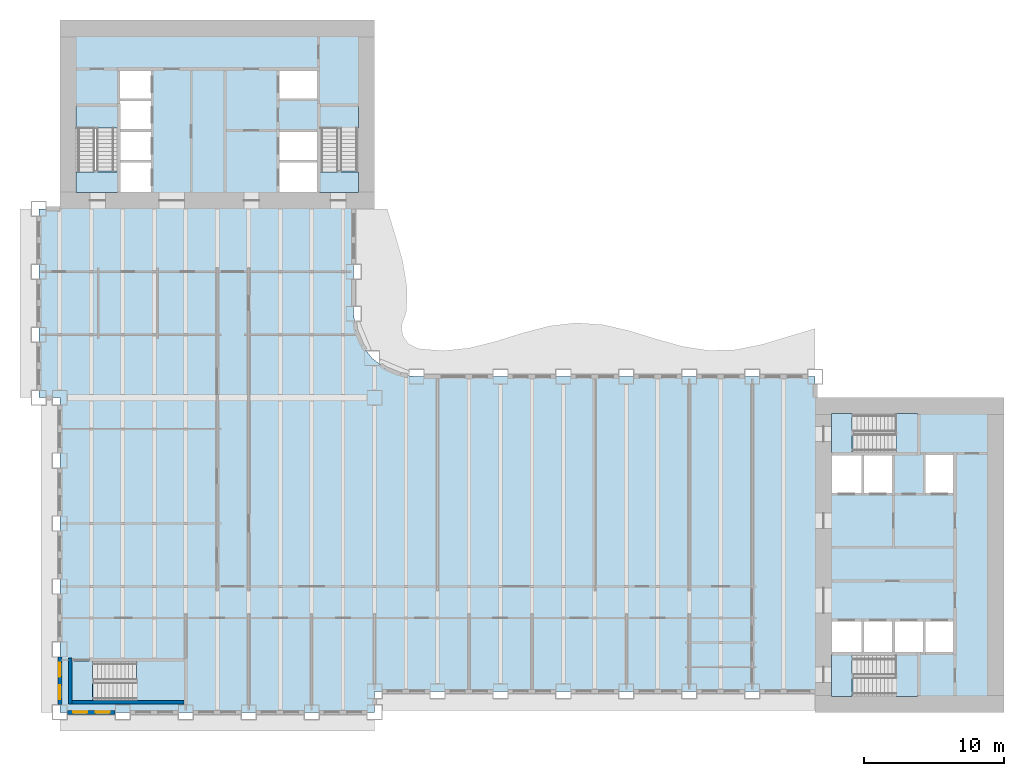
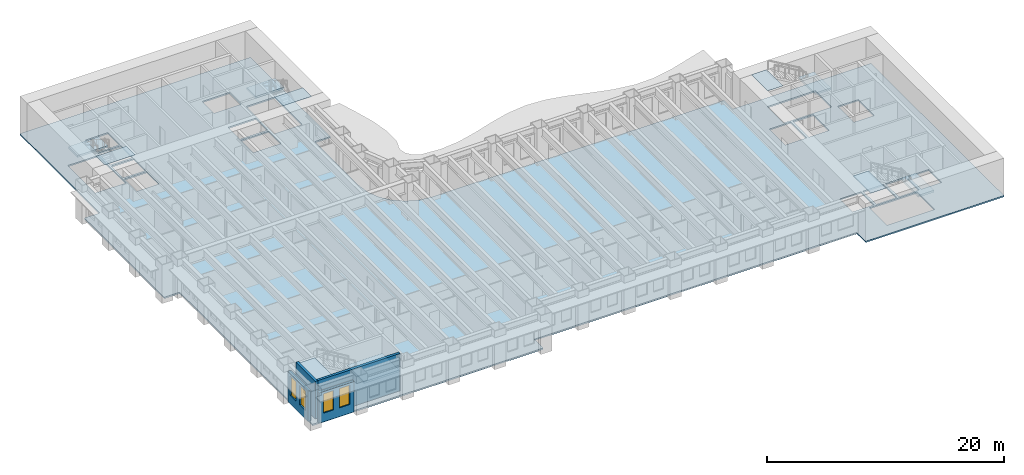
# One storey, part 2 of 16: 11 slabs, 4 walls, 4 windows, 4 openings, 5 elements without a shape of their own.
"""IFC4 building model written with IfcOpenShell, lengths in metres."""

from ifc_helpers import new_model, si_unit, direction, frame, frame_2d, origin, place, context, subcontext, project, spatial, polyline, rectangle, outline, extrude, material, layer, layer_set, type_object, element, fill, aggregate, save


model = new_model("IFC4")

# Units and contexts
model_context = context("Model", 3, precision=1e-05, world=origin(), true_north=direction((0.0, 1.0)))
body_context = subcontext(model_context, "Body", "Model", "MODEL_VIEW")
ifc_project = project(units=[si_unit("LENGTHUNIT", "METRE"), si_unit("AREAUNIT", "SQUARE_METRE"), si_unit("VOLUMEUNIT", "CUBIC_METRE"), si_unit("PLANEANGLEUNIT", "RADIAN"), si_unit("MASSUNIT", "GRAM", prefix="KILO")], contexts=[model_context])

# Site, building, storey
site_placement = place(None, origin())
site = spatial("IfcSite", under=ifc_project, at=site_placement, CompositionType="ELEMENT")
building_placement = place(site_placement, origin())
building = spatial("IfcBuilding", under=site, at=building_placement, Name="Sennacour Bend Tower", CompositionType="ELEMENT")
storey_placement = place(building_placement, frame((0.0, 0.0, 57.0)))
storey = spatial("IfcBuildingStorey", under=building, at=storey_placement, Name="L12", CompositionType="ELEMENT", Elevation=57.0)

# Slabs
ifc_material_1 = material(Name="Concrete C30/37", Category="concrete")
ifc_layer_1 = layer(ifc_material_1, 0.14990234375, Name="Concrete C30/37", Category="concrete")
ifc_layer_set_1 = layer_set([ifc_layer_1], Name="Concrete C30/37")
slab_type_1 = type_object("IfcSlabType", Name="Floor slab 150", PredefinedType="FLOOR", material=ifc_layer_set_1)
slab_1_placement = place(storey_placement, frame((0.0, 0.0, -0.14990234375)))
element("IfcSlab", 1, at=slab_1_placement, inside=storey, type_object=slab_type_1, Name="Floor slab L12-01", PredefinedType="FLOOR", context=body_context, shape_type="SweptSolid", body=[
    extrude(outline(polyline([(0.0, 22.5), (-1.5, 22.5), (-1.5, 36.0), (0.0, 36.0), (0.0, 49.5), (22.5, 49.5), (22.5, 36.0), (21.0, 36.0), (21.0, 28.5), (21.1533203125, 27.335205078125), (21.602783203125, 26.25), (22.318115234375, 25.318115234375), (23.25, 24.602783203125), (24.335205078125, 24.1533203125), (25.5, 24.0), (54.0, 24.0), (54.0, 22.5), (67.5, 22.5), (67.5, 0.0), (54.0, 0.0), (54.0, 1.5), (22.5, 1.5), (22.5, 0.0), (0.0, 0.0), (0.0, 22.5)]), holes=[polyline([(8.800048828125, 0.949951171875), (8.800048828125, 3.5), (2.429931640625, 3.5), (2.429931640625, 0.949951171875), (8.800048828125, 0.949951171875)]), polyline([(6.5, 37.199951171875), (6.5, 39.300048828125), (4.300048828125, 39.300048828125), (4.300048828125, 37.199951171875), (6.5, 37.199951171875)]), polyline([(18.39990234375, 37.199951171875), (18.39990234375, 39.300048828125), (15.699951171875, 39.300048828125), (15.699951171875, 37.199951171875), (18.39990234375, 37.199951171875)]), polyline([(6.5, 39.5), (6.5, 41.5), (4.300048828125, 41.5), (4.300048828125, 39.5), (6.5, 39.5)]), polyline([(18.39990234375, 39.5), (18.39990234375, 41.5), (15.699951171875, 41.5), (15.699951171875, 39.5), (18.39990234375, 39.5)]), polyline([(4.125, 38.72998046875), (4.125, 43.39990234375), (1.14990234375, 43.39990234375), (1.14990234375, 38.72998046875), (4.125, 38.72998046875)]), polyline([(21.35009765625, 38.72998046875), (21.35009765625, 43.39990234375), (18.574951171875, 43.39990234375), (18.574951171875, 38.72998046875), (21.35009765625, 38.72998046875)]), polyline([(4.300048828125, 41.699951171875), (6.5, 41.699951171875), (6.5, 43.699951171875), (4.300048828125, 43.699951171875), (4.300048828125, 41.699951171875)]), polyline([(4.300048828125, 43.89990234375), (6.5, 43.89990234375), (6.5, 45.89990234375), (4.300048828125, 45.89990234375), (4.300048828125, 43.89990234375)]), polyline([(18.39990234375, 43.89990234375), (18.39990234375, 45.89990234375), (15.699951171875, 45.89990234375), (15.699951171875, 43.89990234375), (18.39990234375, 43.89990234375)]), polyline([(61.39990234375, 1.14990234375), (61.39990234375, 4.125), (56.72998046875, 4.125), (56.72998046875, 1.14990234375), (61.39990234375, 1.14990234375)]), polyline([(57.300048828125, 4.300048828125), (57.300048828125, 6.5), (55.199951171875, 6.5), (55.199951171875, 4.300048828125), (57.300048828125, 4.300048828125)]), polyline([(57.5, 4.300048828125), (59.5, 4.300048828125), (59.5, 6.5), (57.5, 6.5), (57.5, 4.300048828125)]), polyline([(59.699951171875, 4.300048828125), (61.699951171875, 4.300048828125), (61.699951171875, 6.5), (59.699951171875, 6.5), (59.699951171875, 4.300048828125)]), polyline([(63.89990234375, 4.300048828125), (63.89990234375, 6.5), (61.89990234375, 6.5), (61.89990234375, 4.300048828125), (63.89990234375, 4.300048828125)]), polyline([(57.300048828125, 15.699951171875), (57.300048828125, 18.39990234375), (55.199951171875, 18.39990234375), (55.199951171875, 15.699951171875), (57.300048828125, 15.699951171875)]), polyline([(59.5, 15.699951171875), (59.5, 18.39990234375), (57.5, 18.39990234375), (57.5, 15.699951171875), (59.5, 15.699951171875)]), polyline([(61.89990234375, 15.699951171875), (63.89990234375, 15.699951171875), (63.89990234375, 18.39990234375), (61.89990234375, 18.39990234375), (61.89990234375, 15.699951171875)]), polyline([(56.72998046875, 18.574951171875), (61.39990234375, 18.574951171875), (61.39990234375, 21.35009765625), (56.72998046875, 21.35009765625), (56.72998046875, 18.574951171875)])]), origin(), (0.0, 0.0, 1.0), 0.14990234375),
])
ifc_material_2 = material(Name="Concrete C40/50", Category="concrete")
ifc_layer_2 = layer(ifc_material_2, 0.034912109375, Name="Concrete C40/50", Category="concrete")
ifc_layer_set_2 = layer_set([ifc_layer_2], Name="Concrete C40/50")
slab_type_2 = type_object("IfcSlabType", Name="Stair arrival nib 35", PredefinedType="FLOOR", material=ifc_layer_set_2)
slab_2_placement = place(storey_placement, frame((0.0, 0.0, 3.815185546875)))
element("IfcSlab", 2, at=slab_2_placement, inside=storey, type_object=slab_type_2, Name="L12 SA1 stair arrival nib", PredefinedType="FLOOR", context=body_context, shape_type="SweptSolid", body=[
    extrude(outline(polyline([(56.64208984375, 4.125), (55.14990234375, 4.125), (55.14990234375, 1.14990234375), (56.64208984375, 1.14990234375), (56.64208984375, 4.125)])), origin(), (0.0, 0.0, 1.0), 0.034912109375),
])
slab_3_placement = place(storey_placement, frame((0.0, 0.0, 3.815185546875)))
element("IfcSlab", 3, at=slab_3_placement, inside=storey, type_object=slab_type_2, Name="L12 SA2 stair arrival nib", PredefinedType="FLOOR", context=body_context, shape_type="SweptSolid", body=[
    extrude(outline(polyline([(56.64208984375, 21.35009765625), (55.14990234375, 21.35009765625), (55.14990234375, 18.574951171875), (56.64208984375, 18.574951171875), (56.64208984375, 21.35009765625)])), origin(), (0.0, 0.0, 1.0), 0.034912109375),
])
slab_4_placement = place(storey_placement, frame((0.0, 0.0, 3.815185546875)))
element("IfcSlab", 4, at=slab_4_placement, inside=storey, type_object=slab_type_2, Name="L12 SB1 stair arrival nib", PredefinedType="FLOOR", context=body_context, shape_type="SweptSolid", body=[
    extrude(outline(polyline([(1.14990234375, 38.64208984375), (1.14990234375, 37.14990234375), (4.125, 37.14990234375), (4.125, 38.64208984375), (1.14990234375, 38.64208984375)])), origin(), (0.0, 0.0, 1.0), 0.034912109375),
])
slab_5_placement = place(storey_placement, frame((0.0, 0.0, 3.815185546875)))
element("IfcSlab", 5, at=slab_5_placement, inside=storey, type_object=slab_type_2, Name="L12 SB2 stair arrival nib", PredefinedType="FLOOR", context=body_context, shape_type="SweptSolid", body=[
    extrude(outline(polyline([(18.574951171875, 38.64208984375), (18.574951171875, 37.14990234375), (21.35009765625, 37.14990234375), (21.35009765625, 38.64208984375), (18.574951171875, 38.64208984375)])), origin(), (0.0, 0.0, 1.0), 0.034912109375),
])
slab_6_placement = place(storey_placement, frame((0.0, 0.0, 3.815185546875)))
element("IfcSlab", 6, at=slab_6_placement, inside=storey, type_object=slab_type_2, Name="L12 SK1 stair arrival nib", PredefinedType="FLOOR", context=body_context, shape_type="SweptSolid", body=[
    extrude(outline(polyline([(2.342041015625, 3.675048828125), (0.800048828125, 3.675048828125), (0.800048828125, 0.800048828125), (2.342041015625, 0.800048828125), (2.342041015625, 3.675048828125)])), origin(), (0.0, 0.0, 1.0), 0.034912109375),
])

# Stair, slab
stair_type = type_object("IfcStairType", Name="ST-DOGLEG", PredefinedType="HALF_TURN_STAIR", material=ifc_material_2)
stair_1_placement = place(storey_placement, origin())
stair_1 = element("IfcStair", 7, at=stair_1_placement, inside=storey, type_object=stair_type, Name="L12 Exit stair A1", PredefinedType="HALF_TURN_STAIR")
ifc_layer_3 = layer(ifc_material_2, 0.199951171875, Name="Concrete C40/50", Category="concrete")
ifc_layer_set_3 = layer_set([ifc_layer_3], Name="Concrete C40/50")
slab_type_3 = type_object("IfcSlabType", Name="Stair landing 200", PredefinedType="LANDING", material=ifc_layer_set_3)
slab_7_placement = place(storey_placement, frame((0.0, 0.0, 1.800048828125)))
slab_7 = element("IfcSlab", 8, at=slab_7_placement, type_object=slab_type_3, Name="SA1 landing 1", PredefinedType="LANDING", context=body_context, shape_type="SweptSolid", body=[
    extrude(outline(polyline([(59.780029296875, 1.14990234375), (61.324951171875, 1.14990234375), (61.324951171875, 4.125), (59.780029296875, 4.125), (59.780029296875, 1.14990234375)])), origin(), (0.0, 0.0, 1.0), 0.199951171875),
])
aggregate(stair_1, [slab_7])

stair_2_placement = place(storey_placement, origin())
stair_2 = element("IfcStair", 9, at=stair_2_placement, inside=storey, type_object=stair_type, Name="L12 Exit stair A2", PredefinedType="HALF_TURN_STAIR")
slab_8_placement = place(storey_placement, frame((0.0, 0.0, 1.800048828125)))
slab_8 = element("IfcSlab", 10, at=slab_8_placement, type_object=slab_type_3, Name="SA2 landing 1", PredefinedType="LANDING", context=body_context, shape_type="SweptSolid", body=[
    extrude(outline(polyline([(59.780029296875, 18.574951171875), (61.324951171875, 18.574951171875), (61.324951171875, 21.35009765625), (59.780029296875, 21.35009765625), (59.780029296875, 18.574951171875)])), origin(), (0.0, 0.0, 1.0), 0.199951171875),
])
aggregate(stair_2, [slab_8])

stair_3_placement = place(storey_placement, origin())
stair_3 = element("IfcStair", 11, at=stair_3_placement, inside=storey, type_object=stair_type, Name="L12 Exit stair B1", PredefinedType="HALF_TURN_STAIR")
slab_9_placement = place(storey_placement, frame((0.0, 0.0, 1.800048828125)))
slab_9 = element("IfcSlab", 12, at=slab_9_placement, type_object=slab_type_3, Name="SB1 landing 1", PredefinedType="LANDING", context=body_context, shape_type="SweptSolid", body=[
    extrude(outline(polyline([(1.14990234375, 41.780029296875), (4.125, 41.780029296875), (4.125, 43.324951171875), (1.14990234375, 43.324951171875), (1.14990234375, 41.780029296875)])), origin(), (0.0, 0.0, 1.0), 0.199951171875),
])
aggregate(stair_3, [slab_9])

stair_4_placement = place(storey_placement, origin())
stair_4 = element("IfcStair", 13, at=stair_4_placement, inside=storey, type_object=stair_type, Name="L12 Exit stair B2", PredefinedType="HALF_TURN_STAIR")
slab_10_placement = place(storey_placement, frame((0.0, 0.0, 1.800048828125)))
slab_10 = element("IfcSlab", 14, at=slab_10_placement, type_object=slab_type_3, Name="SB2 landing 1", PredefinedType="LANDING", context=body_context, shape_type="SweptSolid", body=[
    extrude(outline(polyline([(18.574951171875, 41.780029296875), (21.35009765625, 41.780029296875), (21.35009765625, 43.324951171875), (18.574951171875, 43.324951171875), (18.574951171875, 41.780029296875)])), origin(), (0.0, 0.0, 1.0), 0.199951171875),
])
aggregate(stair_4, [slab_10])

stair_5_placement = place(storey_placement, origin())
stair_5 = element("IfcStair", 15, at=stair_5_placement, inside=storey, type_object=stair_type, Name="L12 Exit stair K1", PredefinedType="HALF_TURN_STAIR")
slab_11_placement = place(storey_placement, frame((0.0, 0.0, 1.800048828125)))
slab_11 = element("IfcSlab", 16, at=slab_11_placement, type_object=slab_type_3, Name="SK1 landing 1", PredefinedType="LANDING", context=body_context, shape_type="SweptSolid", body=[
    extrude(outline(polyline([(5.47998046875, 0.800048828125), (8.925048828125, 0.800048828125), (8.925048828125, 3.675048828125), (5.47998046875, 3.675048828125), (5.47998046875, 0.800048828125)])), origin(), (0.0, 0.0, 1.0), 0.199951171875),
])
aggregate(stair_5, [slab_11])

# Wall, openings, windows
ifc_material_3 = material(Name="Warm limestone cladding", Category="masonry")
ifc_layer_4 = layer(ifc_material_3, 0.050048828125, Name="Warm limestone cladding", Category="masonry")
ifc_material_4 = material(Name="Precast concrete C40/50", Category="concrete")
ifc_layer_5 = layer(ifc_material_4, 0.25, Name="Precast concrete C40/50", Category="concrete")
ifc_layer_set_4 = layer_set([ifc_layer_4, ifc_layer_5], Name="Precast concrete C40/50 with limestone cladding")
wall_type_1 = type_object("IfcWallType", Name="STONE-CLAD PRECAST SPANDREL 300", PredefinedType="STANDARD", material=ifc_layer_set_4)
wall_1_placement = place(storey_placement, frame((0.550048828125, 0.0, 0.0), z_axis=(0.0, 0.0, 1.0), x_axis=(1.0, 0.0, 0.0)))
wall_1 = element("IfcWall", 17, at=wall_1_placement, inside=storey, type_object=wall_type_1, Name="Stone spandrel and pier wall L12 00.00", PredefinedType="STANDARD", context=body_context, shape_type="SweptSolid", body=[
    extrude(rectangle(XDim=3.39990234375, YDim=0.300048828125, at=frame_2d((1.699951171875, 0.0))), origin(), (0.0, 0.0, 1.0), 3.14404296875),
])
opening_1_placement = place(wall_1_placement, frame((0.39990234375, 0.0, 0.89990234375)))
opening_1 = element("IfcOpeningElement", 18, at=opening_1_placement, cuts=wall_1, Name="Opening W8", PredefinedType="OPENING", context=body_context, shape_type="SweptSolid", body=[
    extrude(rectangle(XDim=1.0, YDim=2.0, at=frame_2d((0.5, 1.0))), frame((0.0, 0.16015625, 0.0), z_axis=(0.0, -1.0, 0.0), x_axis=(1.0, 0.0, 0.0)), (0.0, 0.0, 1.0), 0.320068359375),
])
opening_2_placement = place(wall_1_placement, frame((2.0, 0.0, 0.89990234375)))
opening_2 = element("IfcOpeningElement", 19, at=opening_2_placement, cuts=wall_1, Name="Opening W8", PredefinedType="OPENING", context=body_context, shape_type="SweptSolid", body=[
    extrude(rectangle(XDim=1.0, YDim=2.0, at=frame_2d((0.5, 1.0))), frame((0.0, 0.16015625, 0.0), z_axis=(0.0, -1.0, 0.0), x_axis=(1.0, 0.0, 0.0)), (0.0, 0.0, 1.0), 0.320068359375),
])
ifc_material_5 = material(Name="Clear low-emissivity glass", Category="glass")
window_type = type_object("IfcWindowType", Name="WIN-RIBBON-1000x2000", PartitioningType="SINGLE_PANEL", PredefinedType="WINDOW", material=ifc_material_5)
window_1_placement = place(opening_1_placement, origin())
window_1 = element("IfcWindow", 20, at=window_1_placement, inside=storey, type_object=window_type, Name="Ribbon window L12 00.00.0", OverallHeight=2.0, OverallWidth=1.0, PartitioningType="SINGLE_PANEL", PredefinedType="WINDOW", context=body_context, shape_type="SweptSolid", body=[
    extrude(rectangle(XDim=1.0, YDim=2.0, at=frame_2d((0.5, 1.0))), frame((0.0, 0.030029296875, 0.0), z_axis=(0.0, -1.0, 0.0), x_axis=(1.0, 0.0, 0.0)), (0.0, 0.0, 1.0), 0.06005859375),
])
fill(opening_1, window_1)
window_2_placement = place(opening_2_placement, origin())
window_2 = element("IfcWindow", 21, at=window_2_placement, inside=storey, type_object=window_type, Name="Ribbon window L12 00.00.1", OverallHeight=2.0, OverallWidth=1.0, PartitioningType="SINGLE_PANEL", PredefinedType="WINDOW", context=body_context, shape_type="SweptSolid", body=[
    extrude(rectangle(XDim=1.0, YDim=2.0, at=frame_2d((0.5, 1.0))), frame((0.0, 0.030029296875, 0.0), z_axis=(0.0, -1.0, 0.0), x_axis=(1.0, 0.0, 0.0)), (0.0, 0.0, 1.0), 0.06005859375),
])
fill(opening_2, window_2)

wall_2_placement = place(storey_placement, frame((0.0, 3.949951171875, 0.0), z_axis=(0.0, 0.0, 1.0), x_axis=(0.0, -1.0, 0.0)))
wall_2 = element("IfcWall", 22, at=wall_2_placement, inside=storey, type_object=wall_type_1, Name="Stone spandrel and pier wall L12 23.04", PredefinedType="STANDARD", context=body_context, shape_type="SweptSolid", body=[
    extrude(rectangle(XDim=3.39990234375, YDim=0.300048828125, at=frame_2d((1.699951171875, 0.0))), origin(), (0.0, 0.0, 1.0), 3.14404296875),
])
opening_3_placement = place(wall_2_placement, frame((0.39990234375, 0.0, 0.89990234375)))
opening_3 = element("IfcOpeningElement", 23, at=opening_3_placement, cuts=wall_2, Name="Opening W8", PredefinedType="OPENING", context=body_context, shape_type="SweptSolid", body=[
    extrude(rectangle(XDim=1.0, YDim=2.0, at=frame_2d((0.5, 1.0))), frame((0.0, 0.16015625, 0.0), z_axis=(0.0, -1.0, 0.0), x_axis=(1.0, 0.0, 0.0)), (0.0, 0.0, 1.0), 0.320068359375),
])
opening_4_placement = place(wall_2_placement, frame((2.0, 0.0, 0.89990234375)))
opening_4 = element("IfcOpeningElement", 24, at=opening_4_placement, cuts=wall_2, Name="Opening W8", PredefinedType="OPENING", context=body_context, shape_type="SweptSolid", body=[
    extrude(rectangle(XDim=1.0, YDim=2.0, at=frame_2d((0.5, 1.0))), frame((0.0, 0.16015625, 0.0), z_axis=(0.0, -1.0, 0.0), x_axis=(1.0, 0.0, 0.0)), (0.0, 0.0, 1.0), 0.320068359375),
])
window_3_placement = place(opening_3_placement, origin())
window_3 = element("IfcWindow", 25, at=window_3_placement, inside=storey, type_object=window_type, Name="Ribbon window L12 23.04.0", OverallHeight=2.0, OverallWidth=1.0, PartitioningType="SINGLE_PANEL", PredefinedType="WINDOW", context=body_context, shape_type="SweptSolid", body=[
    extrude(rectangle(XDim=1.0, YDim=2.0, at=frame_2d((0.5, 1.0))), frame((0.0, 0.030029296875, 0.0), z_axis=(0.0, -1.0, 0.0), x_axis=(1.0, 0.0, 0.0)), (0.0, 0.0, 1.0), 0.06005859375),
])
fill(opening_3, window_3)
window_4_placement = place(opening_4_placement, origin())
window_4 = element("IfcWindow", 26, at=window_4_placement, inside=storey, type_object=window_type, Name="Ribbon window L12 23.04.1", OverallHeight=2.0, OverallWidth=1.0, PartitioningType="SINGLE_PANEL", PredefinedType="WINDOW", context=body_context, shape_type="SweptSolid", body=[
    extrude(rectangle(XDim=1.0, YDim=2.0, at=frame_2d((0.5, 1.0))), frame((0.0, 0.030029296875, 0.0), z_axis=(0.0, -1.0, 0.0), x_axis=(1.0, 0.0, 0.0)), (0.0, 0.0, 1.0), 0.06005859375),
])
fill(opening_4, window_4)

# Walls
ifc_material_6 = material(Name="Concrete C60/75", Category="concrete")
ifc_layer_6 = layer(ifc_material_6, 0.25, Name="Concrete C60/75", Category="concrete")
ifc_layer_set_5 = layer_set([ifc_layer_6], Name="Concrete C60/75")
wall_type_2 = type_object("IfcWallType", Name="Stair wall 250", PredefinedType="SHEAR", material=ifc_layer_set_5)
wall_3_placement = place(storey_placement, frame((0.72509765625, 0.60009765625, 0.0), z_axis=(0.0, 0.0, 1.0), x_axis=(0.0, 1.0, 0.0)))
element("IfcWall", 27, at=wall_3_placement, inside=storey, type_object=wall_type_2, Name="P-L12-W003", PredefinedType="SHEAR", context=body_context, shape_type="SweptSolid", body=[
    extrude(rectangle(XDim=3.27490234375, YDim=0.25, at=frame_2d((1.637451171875, 0.0))), origin(), (0.0, 0.0, 1.0), 3.85009765625),
])
wall_4_placement = place(storey_placement, frame((0.85009765625, 0.72509765625, 0.0), z_axis=(0.0, 0.0, 1.0), x_axis=(1.0, 0.0, 0.0)))
element("IfcWall", 28, at=wall_4_placement, inside=storey, type_object=wall_type_2, Name="P-L12-W048", PredefinedType="SHEAR", context=body_context, shape_type="SweptSolid", body=[
    extrude(rectangle(XDim=8.02490234375, YDim=0.25, at=frame_2d((4.012451171875, 0.0))), origin(), (0.0, 0.0, 1.0), 3.85009765625),
])

save(model, "model.ifc")
